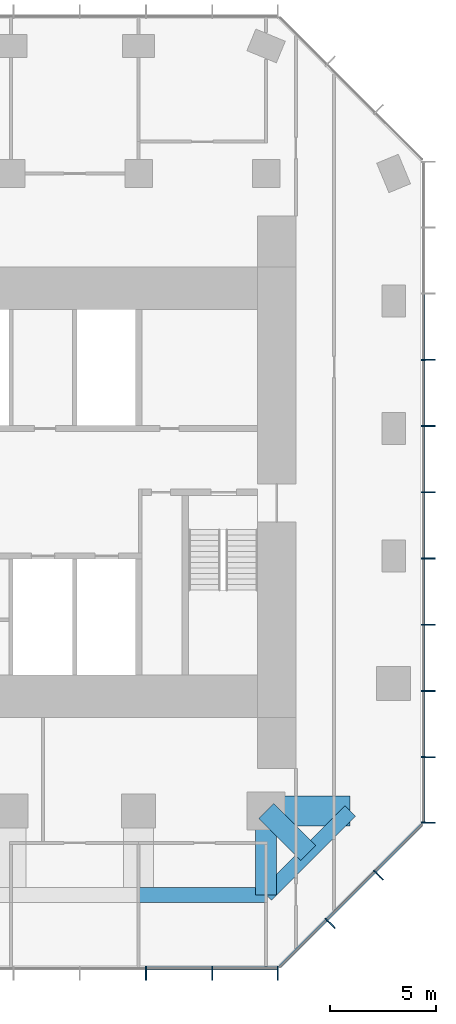
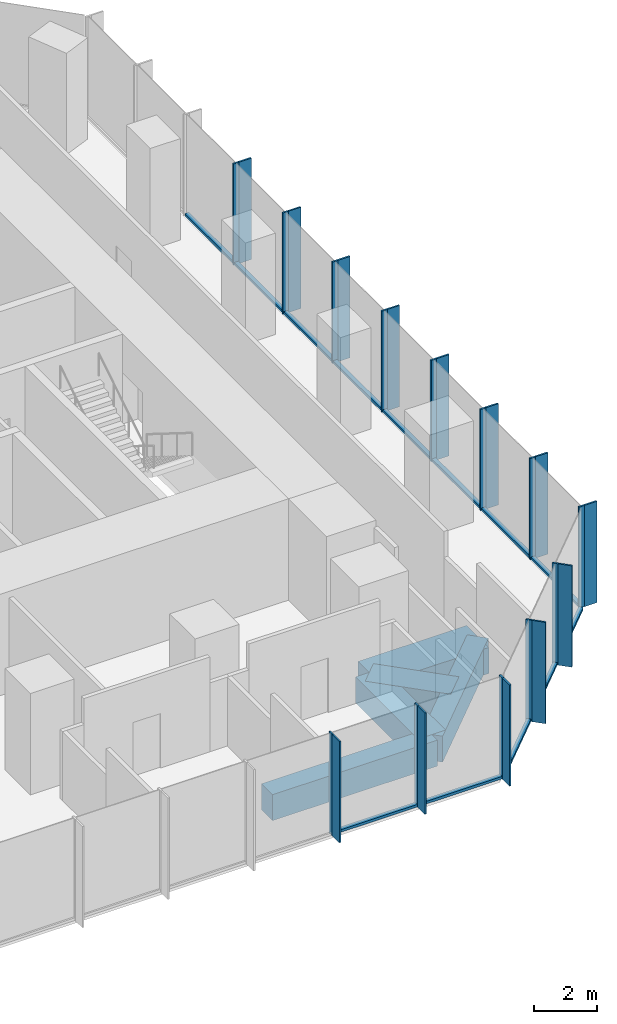
# One storey, part 4 of 11: 39 members, 5 beams, 3 elements without a shape of their own.
"""IFC4 building model written with IfcOpenShell, lengths in metres."""

from ifc_helpers import new_model, si_unit, direction, frame, origin, origin_2d, place, context, subcontext, project, spatial, rectangle, extrude, material, layer, layer_set, material_profile, profile_set, type_object, element, aggregate, save


model = new_model("IFC4")

# Units and contexts
model_context = context("Model", 3, precision=1e-05, world=origin(), true_north=direction((0.0, 1.0)))
body_context = subcontext(model_context, "Body", "Model", "MODEL_VIEW")
ifc_project = project(units=[si_unit("LENGTHUNIT", "METRE"), si_unit("AREAUNIT", "SQUARE_METRE"), si_unit("VOLUMEUNIT", "CUBIC_METRE"), si_unit("PLANEANGLEUNIT", "RADIAN"), si_unit("MASSUNIT", "GRAM", prefix="KILO")], contexts=[model_context])

# Site, building, storey
site_placement = place(None, origin())
site = spatial("IfcSite", under=ifc_project, at=site_placement, CompositionType="ELEMENT")
building_placement = place(site_placement, origin())
building = spatial("IfcBuilding", under=site, at=building_placement, Name="Highveld Stack Headquarters", CompositionType="ELEMENT")
storey_placement = place(building_placement, frame((0.0, 0.0, 220.10009765625)))
storey = spatial("IfcBuildingStorey", under=building, at=storey_placement, Name="L54", CompositionType="ELEMENT", Elevation=220.10009765625)

# Beams
ifc_material_1 = material(Name="Concrete C60/75", Category="concrete")
ifc_material_profile_1 = material_profile(ifc_material_1, rectangle(XDim=1.0, YDim=1.0, at=origin_2d()), Name="RC 1000x1000")
ifc_profile_set_1 = profile_set([ifc_material_profile_1], Name="Concrete C60/75")
beam_type_1 = type_object("IfcBeamType", Name="CANTILEVER RIB RC 1000x1000", PredefinedType="USERDEFINED", material=ifc_profile_set_1)
beam_1_placement = place(storey_placement, frame((18.0, -12.0, -0.75), z_axis=(0.0, -1.0, 0.0), x_axis=(1.0, 0.0, 0.0)))
element("IfcBeam", 1, at=beam_1_placement, inside=storey, type_object=beam_type_1, Name="Cantilever rib 9/C L54", ObjectType="CANTILEVER RIB", PredefinedType="USERDEFINED", context=body_context, shape_type="SweptSolid", body=[
    extrude(rectangle(XDim=1.0, YDim=1.0, at=origin_2d()), origin(), (0.0, 0.0, 1.0), 3.949951171875),
])
beam_2_placement = place(storey_placement, frame((18.0, -12.0, -0.75), z_axis=(0.707106781187, -0.707106781187, 0.0), x_axis=(0.707106781187, 0.707106781187, 0.0)))
element("IfcBeam", 2, at=beam_2_placement, inside=storey, type_object=beam_type_1, Name="Cantilever rib 9/C L54", ObjectType="CANTILEVER RIB", PredefinedType="USERDEFINED", context=body_context, shape_type="SweptSolid", body=[
    extrude(rectangle(XDim=1.0, YDim=1.0, at=origin_2d()), origin(), (0.0, 0.0, 1.0), 2.793212890625),
])
ifc_material_2 = material(Name="Concrete C60/75", Category="concrete")
ifc_material_profile_2 = material_profile(ifc_material_2, rectangle(XDim=1.39990234375, YDim=1.0, at=origin_2d()), Name="RC 1400x1000")
ifc_profile_set_2 = profile_set([ifc_material_profile_2], Name="Concrete C60/75")
beam_type_2 = type_object("IfcBeamType", Name="CANTILEVER RIB RC 1400x1000", PredefinedType="USERDEFINED", material=ifc_profile_set_2)
beam_3_placement = place(storey_placement, frame((18.0, -12.0, -0.75), z_axis=(1.0, 0.0, 0.0), x_axis=(0.0, 1.0, 0.0)))
element("IfcBeam", 3, at=beam_3_placement, inside=storey, type_object=beam_type_2, Name="Cantilever rib 9/C L54", ObjectType="CANTILEVER RIB", PredefinedType="USERDEFINED", context=body_context, shape_type="SweptSolid", body=[
    extrude(rectangle(XDim=1.39990234375, YDim=1.0, at=origin_2d()), origin(), (0.0, 0.0, 1.0), 3.949951171875),
])

# Curtain wall, members
ifc_material_3 = material(Name="Aluminium bronze anodised", Category="aluminium")
ifc_layer_1 = layer(ifc_material_3, 0.199951171875)
ifc_layer_set_1 = layer_set([ifc_layer_1], Name="Aluminium bronze anodised")
curtain_wall_type_1 = type_object("IfcCurtainWallType", Name="CW1 TOWER UNITISED CURTAIN WALL", PredefinedType="NOTDEFINED", material=ifc_layer_set_1)
curtain_wall_1_placement = place(storey_placement, origin())
curtain_wall_1 = element("IfcCurtainWall", 4, at=curtain_wall_1_placement, inside=storey, type_object=curtain_wall_type_1, Name="Curtain wall CW1 L54 S", PredefinedType="NOTDEFINED")
ifc_material_4 = material(Name="Aluminium bronze anodised", Category="aluminium")
ifc_material_profile_3 = material_profile(ifc_material_4, rectangle(XDim=0.449951171875, YDim=0.06005859375, at=origin_2d()), Name="FIN 450x60")
ifc_profile_set_3 = profile_set([ifc_material_profile_3], Name="Aluminium bronze anodised")
member_type_1 = type_object("IfcMemberType", Name="CW1 BRONZE FIN 450x60", PredefinedType="USERDEFINED", material=ifc_profile_set_3)
member_1_placement = place(storey_placement, frame((12.347900390625, -19.72509765625, 0.0), z_axis=(0.0, 0.0, 1.0), x_axis=(0.0, 1.0, 0.0)))
member_1 = element("IfcMember", 5, at=member_1_placement, type_object=member_type_1, Name="CW1 fin L54 9", ObjectType="FIN", PredefinedType="USERDEFINED", context=body_context, shape_type="SweptSolid", body=[
    extrude(rectangle(XDim=0.449951171875, YDim=0.06005859375, at=origin_2d()), origin(), (0.0, 0.0, 1.0), 3.89990234375),
])
member_2_placement = place(storey_placement, frame((15.4638671875, -19.72509765625, 0.0), z_axis=(0.0, 0.0, 1.0), x_axis=(0.0, 1.0, 0.0)))
member_2 = element("IfcMember", 6, at=member_2_placement, type_object=member_type_1, Name="CW1 fin L54 10", ObjectType="FIN", PredefinedType="USERDEFINED", context=body_context, shape_type="SweptSolid", body=[
    extrude(rectangle(XDim=0.449951171875, YDim=0.06005859375, at=origin_2d()), origin(), (0.0, 0.0, 1.0), 3.89990234375),
])
member_3_placement = place(storey_placement, frame((18.54736328125, -19.72509765625, 0.0), z_axis=(0.0, 0.0, 1.0), x_axis=(0.0, 1.0, 0.0)))
member_3 = element("IfcMember", 7, at=member_3_placement, type_object=member_type_1, Name="CW1 fin L54 11", ObjectType="FIN", PredefinedType="USERDEFINED", context=body_context, shape_type="SweptSolid", body=[
    extrude(rectangle(XDim=0.449951171875, YDim=0.06005859375, at=origin_2d()), origin(), (0.0, 0.0, 1.0), 3.89990234375),
])

curtain_wall_2_placement = place(storey_placement, origin())
curtain_wall_2 = element("IfcCurtainWall", 8, at=curtain_wall_2_placement, inside=storey, type_object=curtain_wall_type_1, Name="Curtain wall CW1 L54 E", PredefinedType="NOTDEFINED")
member_4_placement = place(storey_placement, frame((25.72509765625, -12.54736328125, 0.0), z_axis=(0.0, 0.0, 1.0), x_axis=(-1.0, 0.0, 0.0)))
member_4 = element("IfcMember", 9, at=member_4_placement, type_object=member_type_1, Name="CW1 fin L54 1", ObjectType="FIN", PredefinedType="USERDEFINED", context=body_context, shape_type="SweptSolid", body=[
    extrude(rectangle(XDim=0.449951171875, YDim=0.06005859375, at=origin_2d()), origin(), (0.0, 0.0, 1.0), 3.89990234375),
])
member_5_placement = place(storey_placement, frame((25.72509765625, -9.4638671875, 0.0), z_axis=(0.0, 0.0, 1.0), x_axis=(-1.0, 0.0, 0.0)))
member_5 = element("IfcMember", 10, at=member_5_placement, type_object=member_type_1, Name="CW1 fin L54 2", ObjectType="FIN", PredefinedType="USERDEFINED", context=body_context, shape_type="SweptSolid", body=[
    extrude(rectangle(XDim=0.449951171875, YDim=0.06005859375, at=origin_2d()), origin(), (0.0, 0.0, 1.0), 3.89990234375),
])
member_6_placement = place(storey_placement, frame((25.72509765625, -6.347900390625, 0.0), z_axis=(0.0, 0.0, 1.0), x_axis=(-1.0, 0.0, 0.0)))
member_6 = element("IfcMember", 11, at=member_6_placement, type_object=member_type_1, Name="CW1 fin L54 3", ObjectType="FIN", PredefinedType="USERDEFINED", context=body_context, shape_type="SweptSolid", body=[
    extrude(rectangle(XDim=0.449951171875, YDim=0.06005859375, at=origin_2d()), origin(), (0.0, 0.0, 1.0), 3.89990234375),
])
member_7_placement = place(storey_placement, frame((25.72509765625, -3.23193359375, 0.0), z_axis=(0.0, 0.0, 1.0), x_axis=(-1.0, 0.0, 0.0)))
member_7 = element("IfcMember", 12, at=member_7_placement, type_object=member_type_1, Name="CW1 fin L54 4", ObjectType="FIN", PredefinedType="USERDEFINED", context=body_context, shape_type="SweptSolid", body=[
    extrude(rectangle(XDim=0.449951171875, YDim=0.06005859375, at=origin_2d()), origin(), (0.0, 0.0, 1.0), 3.89990234375),
])
member_8_placement = place(storey_placement, frame((25.72509765625, -0.115966796875, 0.0), z_axis=(0.0, 0.0, 1.0), x_axis=(-1.0, 0.0, 0.0)))
member_8 = element("IfcMember", 13, at=member_8_placement, type_object=member_type_1, Name="CW1 fin L54 5", ObjectType="FIN", PredefinedType="USERDEFINED", context=body_context, shape_type="SweptSolid", body=[
    extrude(rectangle(XDim=0.449951171875, YDim=0.06005859375, at=origin_2d()), origin(), (0.0, 0.0, 1.0), 3.89990234375),
])
member_9_placement = place(storey_placement, frame((25.72509765625, 3.0, 0.0), z_axis=(0.0, 0.0, 1.0), x_axis=(-1.0, 0.0, 0.0)))
member_9 = element("IfcMember", 14, at=member_9_placement, type_object=member_type_1, Name="CW1 fin L54 6", ObjectType="FIN", PredefinedType="USERDEFINED", context=body_context, shape_type="SweptSolid", body=[
    extrude(rectangle(XDim=0.449951171875, YDim=0.06005859375, at=origin_2d()), origin(), (0.0, 0.0, 1.0), 3.89990234375),
])
member_10_placement = place(storey_placement, frame((25.72509765625, 6.115966796875, 0.0), z_axis=(0.0, 0.0, 1.0), x_axis=(-1.0, 0.0, 0.0)))
member_10 = element("IfcMember", 15, at=member_10_placement, type_object=member_type_1, Name="CW1 fin L54 7", ObjectType="FIN", PredefinedType="USERDEFINED", context=body_context, shape_type="SweptSolid", body=[
    extrude(rectangle(XDim=0.449951171875, YDim=0.06005859375, at=origin_2d()), origin(), (0.0, 0.0, 1.0), 3.89990234375),
])
member_11_placement = place(storey_placement, frame((25.72509765625, 9.23193359375, 0.0), z_axis=(0.0, 0.0, 1.0), x_axis=(-1.0, 0.0, 0.0)))
member_11 = element("IfcMember", 16, at=member_11_placement, type_object=member_type_1, Name="CW1 fin L54 8", ObjectType="FIN", PredefinedType="USERDEFINED", context=body_context, shape_type="SweptSolid", body=[
    extrude(rectangle(XDim=0.449951171875, YDim=0.06005859375, at=origin_2d()), origin(), (0.0, 0.0, 1.0), 3.89990234375),
])

# Member
ifc_material_5 = material(Name="Aluminium bronze anodised", Category="aluminium")
ifc_material_profile_4 = material_profile(ifc_material_5, rectangle(XDim=0.199951171875, YDim=0.06494140625, at=origin_2d()), Name="CW1 MULLION 65x200")
ifc_profile_set_4 = profile_set([ifc_material_profile_4], Name="Aluminium bronze anodised")
member_type_2 = type_object("IfcMemberType", Name="CW1 MULLION 65x200", PredefinedType="MULLION", material=ifc_profile_set_4)
member_12_placement = place(storey_placement, frame((12.347900390625, -19.39990234375, 0.0), z_axis=(0.0, 0.0, 1.0), x_axis=(0.0, 1.0, 0.0)))
member_12 = element("IfcMember", 17, at=member_12_placement, type_object=member_type_2, Name="CW1 mullion L54 9", PredefinedType="MULLION", context=body_context, shape_type="SweptSolid", body=[
    extrude(rectangle(XDim=0.199951171875, YDim=0.06494140625, at=origin_2d()), origin(), (0.0, 0.0, 1.0), 3.89990234375),
])

member_13_placement = place(storey_placement, frame((15.4638671875, -19.39990234375, 0.0), z_axis=(0.0, 0.0, 1.0), x_axis=(0.0, 1.0, 0.0)))
member_13 = element("IfcMember", 18, at=member_13_placement, type_object=member_type_2, Name="CW1 mullion L54 10", PredefinedType="MULLION", context=body_context, shape_type="SweptSolid", body=[
    extrude(rectangle(XDim=0.199951171875, YDim=0.06494140625, at=origin_2d()), origin(), (0.0, 0.0, 1.0), 3.89990234375),
])

member_14_placement = place(storey_placement, frame((18.54736328125, -19.39990234375, 0.0), z_axis=(0.0, 0.0, 1.0), x_axis=(0.0, 1.0, 0.0)))
member_14 = element("IfcMember", 19, at=member_14_placement, type_object=member_type_2, Name="CW1 mullion L54 11", PredefinedType="MULLION", context=body_context, shape_type="SweptSolid", body=[
    extrude(rectangle(XDim=0.199951171875, YDim=0.06494140625, at=origin_2d()), origin(), (0.0, 0.0, 1.0), 3.89990234375),
])

member_15_placement = place(storey_placement, frame((25.39990234375, -12.54736328125, 0.0), z_axis=(0.0, 0.0, 1.0), x_axis=(-1.0, 0.0, 0.0)))
member_15 = element("IfcMember", 20, at=member_15_placement, type_object=member_type_2, Name="CW1 mullion L54 1", PredefinedType="MULLION", context=body_context, shape_type="SweptSolid", body=[
    extrude(rectangle(XDim=0.199951171875, YDim=0.06494140625, at=origin_2d()), origin(), (0.0, 0.0, 1.0), 3.89990234375),
])

member_16_placement = place(storey_placement, frame((25.39990234375, -9.4638671875, 0.0), z_axis=(0.0, 0.0, 1.0), x_axis=(-1.0, 0.0, 0.0)))
member_16 = element("IfcMember", 21, at=member_16_placement, type_object=member_type_2, Name="CW1 mullion L54 2", PredefinedType="MULLION", context=body_context, shape_type="SweptSolid", body=[
    extrude(rectangle(XDim=0.199951171875, YDim=0.06494140625, at=origin_2d()), origin(), (0.0, 0.0, 1.0), 3.89990234375),
])

member_17_placement = place(storey_placement, frame((25.39990234375, -6.347900390625, 0.0), z_axis=(0.0, 0.0, 1.0), x_axis=(-1.0, 0.0, 0.0)))
member_17 = element("IfcMember", 22, at=member_17_placement, type_object=member_type_2, Name="CW1 mullion L54 3", PredefinedType="MULLION", context=body_context, shape_type="SweptSolid", body=[
    extrude(rectangle(XDim=0.199951171875, YDim=0.06494140625, at=origin_2d()), origin(), (0.0, 0.0, 1.0), 3.89990234375),
])

member_18_placement = place(storey_placement, frame((25.39990234375, -3.23193359375, 0.0), z_axis=(0.0, 0.0, 1.0), x_axis=(-1.0, 0.0, 0.0)))
member_18 = element("IfcMember", 23, at=member_18_placement, type_object=member_type_2, Name="CW1 mullion L54 4", PredefinedType="MULLION", context=body_context, shape_type="SweptSolid", body=[
    extrude(rectangle(XDim=0.199951171875, YDim=0.06494140625, at=origin_2d()), origin(), (0.0, 0.0, 1.0), 3.89990234375),
])

member_19_placement = place(storey_placement, frame((25.39990234375, -0.115966796875, 0.0), z_axis=(0.0, 0.0, 1.0), x_axis=(-1.0, 0.0, 0.0)))
member_19 = element("IfcMember", 24, at=member_19_placement, type_object=member_type_2, Name="CW1 mullion L54 5", PredefinedType="MULLION", context=body_context, shape_type="SweptSolid", body=[
    extrude(rectangle(XDim=0.199951171875, YDim=0.06494140625, at=origin_2d()), origin(), (0.0, 0.0, 1.0), 3.89990234375),
])

member_20_placement = place(storey_placement, frame((25.39990234375, 3.0, 0.0), z_axis=(0.0, 0.0, 1.0), x_axis=(-1.0, 0.0, 0.0)))
member_20 = element("IfcMember", 25, at=member_20_placement, type_object=member_type_2, Name="CW1 mullion L54 6", PredefinedType="MULLION", context=body_context, shape_type="SweptSolid", body=[
    extrude(rectangle(XDim=0.199951171875, YDim=0.06494140625, at=origin_2d()), origin(), (0.0, 0.0, 1.0), 3.89990234375),
])

member_21_placement = place(storey_placement, frame((25.39990234375, 6.115966796875, 0.0), z_axis=(0.0, 0.0, 1.0), x_axis=(-1.0, 0.0, 0.0)))
member_21 = element("IfcMember", 26, at=member_21_placement, type_object=member_type_2, Name="CW1 mullion L54 7", PredefinedType="MULLION", context=body_context, shape_type="SweptSolid", body=[
    extrude(rectangle(XDim=0.199951171875, YDim=0.06494140625, at=origin_2d()), origin(), (0.0, 0.0, 1.0), 3.89990234375),
])

member_22_placement = place(storey_placement, frame((25.39990234375, 9.23193359375, 0.0), z_axis=(0.0, 0.0, 1.0), x_axis=(-1.0, 0.0, 0.0)))
member_22 = element("IfcMember", 27, at=member_22_placement, type_object=member_type_2, Name="CW1 mullion L54 8", PredefinedType="MULLION", context=body_context, shape_type="SweptSolid", body=[
    extrude(rectangle(XDim=0.199951171875, YDim=0.06494140625, at=origin_2d()), origin(), (0.0, 0.0, 1.0), 3.89990234375),
])

ifc_material_6 = material(Name="Aluminium bronze anodised", Category="aluminium")
ifc_material_profile_5 = material_profile(ifc_material_6, rectangle(XDim=0.14990234375, YDim=0.10009765625, at=origin_2d()), Name="CW1 TRANSOM 150x100")
ifc_profile_set_5 = profile_set([ifc_material_profile_5], Name="Aluminium bronze anodised")
member_type_3 = type_object("IfcMemberType", Name="CW1 STACK TRANSOM 150x100", PredefinedType="USERDEFINED", material=ifc_profile_set_5)
member_23_placement = place(storey_placement, frame((12.38037109375, -19.39990234375, 0.0498046875), z_axis=(1.0, 0.0, 0.0), x_axis=(0.0, 1.0, 0.0)))
member_23 = element("IfcMember", 28, at=member_23_placement, type_object=member_type_3, Name="CW1 transom L54 9.1", ObjectType="TRANSOM", PredefinedType="USERDEFINED", context=body_context, shape_type="SweptSolid", body=[
    extrude(rectangle(XDim=0.14990234375, YDim=0.10009765625, at=origin_2d()), origin(), (0.0, 0.0, 1.0), 3.051025390625),
])

member_24_placement = place(storey_placement, frame((15.496337890625, -19.39990234375, 0.0498046875), z_axis=(1.0, 0.0, 0.0), x_axis=(0.0, 1.0, 0.0)))
member_24 = element("IfcMember", 29, at=member_24_placement, type_object=member_type_3, Name="CW1 transom L54 10.1", ObjectType="TRANSOM", PredefinedType="USERDEFINED", context=body_context, shape_type="SweptSolid", body=[
    extrude(rectangle(XDim=0.14990234375, YDim=0.10009765625, at=origin_2d()), origin(), (0.0, 0.0, 1.0), 3.0185546875),
])

aggregate(curtain_wall_1, [member_12, member_1, member_13, member_2, member_14, member_3, member_23, member_24])

member_25_placement = place(storey_placement, frame((25.39990234375, -12.514892578125, 0.0498046875), z_axis=(0.0, 1.0, 0.0), x_axis=(-1.0, 0.0, 0.0)))
member_25 = element("IfcMember", 30, at=member_25_placement, type_object=member_type_3, Name="CW1 transom L54 1.1", ObjectType="TRANSOM", PredefinedType="USERDEFINED", context=body_context, shape_type="SweptSolid", body=[
    extrude(rectangle(XDim=0.14990234375, YDim=0.10009765625, at=origin_2d()), origin(), (0.0, 0.0, 1.0), 3.0185546875),
])

member_26_placement = place(storey_placement, frame((25.39990234375, -9.431396484375, 0.0498046875), z_axis=(0.0, 1.0, 0.0), x_axis=(-1.0, 0.0, 0.0)))
member_26 = element("IfcMember", 31, at=member_26_placement, type_object=member_type_3, Name="CW1 transom L54 2.1", ObjectType="TRANSOM", PredefinedType="USERDEFINED", context=body_context, shape_type="SweptSolid", body=[
    extrude(rectangle(XDim=0.14990234375, YDim=0.10009765625, at=origin_2d()), origin(), (0.0, 0.0, 1.0), 3.051025390625),
])

member_27_placement = place(storey_placement, frame((25.39990234375, -6.3154296875, 0.0498046875), z_axis=(0.0, 1.0, 0.0), x_axis=(-1.0, 0.0, 0.0)))
member_27 = element("IfcMember", 32, at=member_27_placement, type_object=member_type_3, Name="CW1 transom L54 3.1", ObjectType="TRANSOM", PredefinedType="USERDEFINED", context=body_context, shape_type="SweptSolid", body=[
    extrude(rectangle(XDim=0.14990234375, YDim=0.10009765625, at=origin_2d()), origin(), (0.0, 0.0, 1.0), 3.051025390625),
])

member_28_placement = place(storey_placement, frame((25.39990234375, -3.199462890625, 0.0498046875), z_axis=(0.0, 1.0, 0.0), x_axis=(-1.0, 0.0, 0.0)))
member_28 = element("IfcMember", 33, at=member_28_placement, type_object=member_type_3, Name="CW1 transom L54 4.1", ObjectType="TRANSOM", PredefinedType="USERDEFINED", context=body_context, shape_type="SweptSolid", body=[
    extrude(rectangle(XDim=0.14990234375, YDim=0.10009765625, at=origin_2d()), origin(), (0.0, 0.0, 1.0), 3.051025390625),
])

member_29_placement = place(storey_placement, frame((25.39990234375, -0.08349609375, 0.0498046875), z_axis=(0.0, 1.0, 0.0), x_axis=(-1.0, 0.0, 0.0)))
member_29 = element("IfcMember", 34, at=member_29_placement, type_object=member_type_3, Name="CW1 transom L54 5.1", ObjectType="TRANSOM", PredefinedType="USERDEFINED", context=body_context, shape_type="SweptSolid", body=[
    extrude(rectangle(XDim=0.14990234375, YDim=0.10009765625, at=origin_2d()), origin(), (0.0, 0.0, 1.0), 3.051025390625),
])

member_30_placement = place(storey_placement, frame((25.39990234375, 3.032470703125, 0.0498046875), z_axis=(0.0, 1.0, 0.0), x_axis=(-1.0, 0.0, 0.0)))
member_30 = element("IfcMember", 35, at=member_30_placement, type_object=member_type_3, Name="CW1 transom L54 6.1", ObjectType="TRANSOM", PredefinedType="USERDEFINED", context=body_context, shape_type="SweptSolid", body=[
    extrude(rectangle(XDim=0.14990234375, YDim=0.10009765625, at=origin_2d()), origin(), (0.0, 0.0, 1.0), 3.051025390625),
])

member_31_placement = place(storey_placement, frame((25.39990234375, 6.1484375, 0.0498046875), z_axis=(0.0, 1.0, 0.0), x_axis=(-1.0, 0.0, 0.0)))
member_31 = element("IfcMember", 36, at=member_31_placement, type_object=member_type_3, Name="CW1 transom L54 7.1", ObjectType="TRANSOM", PredefinedType="USERDEFINED", context=body_context, shape_type="SweptSolid", body=[
    extrude(rectangle(XDim=0.14990234375, YDim=0.10009765625, at=origin_2d()), origin(), (0.0, 0.0, 1.0), 3.051025390625),
])

member_32_placement = place(storey_placement, frame((25.39990234375, 9.264404296875, 0.0498046875), z_axis=(0.0, 1.0, 0.0), x_axis=(-1.0, 0.0, 0.0)))
member_32 = element("IfcMember", 37, at=member_32_placement, type_object=member_type_3, Name="CW1 transom L54 8.1", ObjectType="TRANSOM", PredefinedType="USERDEFINED", context=body_context, shape_type="SweptSolid", body=[
    extrude(rectangle(XDim=0.14990234375, YDim=0.10009765625, at=origin_2d()), origin(), (0.0, 0.0, 1.0), 3.051025390625),
])

aggregate(curtain_wall_2, [member_15, member_4, member_16, member_5, member_17, member_6, member_18, member_7, member_19, member_8, member_20, member_9, member_21, member_10, member_22, member_11, member_25, member_26, member_27, member_28, member_29, member_30, member_31, member_32])

# Curtain wall, members
ifc_material_7 = material(Name="Aluminium bronze anodised", Category="aluminium")
ifc_layer_2 = layer(ifc_material_7, 0.199951171875)
ifc_layer_set_2 = layer_set([ifc_layer_2], Name="Aluminium bronze anodised")
curtain_wall_type_2 = type_object("IfcCurtainWallType", Name="CW2 TOWER CHAMFER UNITISED CURTAIN WALL", PredefinedType="NOTDEFINED", material=ifc_layer_set_2)
curtain_wall_3_placement = place(storey_placement, origin())
curtain_wall_3 = element("IfcCurtainWall", 38, at=curtain_wall_3_placement, inside=storey, type_object=curtain_wall_type_2, Name="Curtain wall CW2 L54 SE", PredefinedType="NOTDEFINED")
ifc_material_8 = material(Name="Aluminium bronze anodised", Category="aluminium")
ifc_material_profile_6 = material_profile(ifc_material_8, rectangle(XDim=0.449951171875, YDim=0.06005859375, at=origin_2d()), Name="FIN 450x60")
ifc_profile_set_6 = profile_set([ifc_material_profile_6], Name="Aluminium bronze anodised")
member_type_4 = type_object("IfcMemberType", Name="CW2 BRONZE FIN 450x60", PredefinedType="USERDEFINED", material=ifc_profile_set_6)
member_33_placement = place(storey_placement, frame((21.0830078125, -17.3564453125, 0.0), z_axis=(0.0, 0.0, 1.0), x_axis=(-0.707106781187, 0.707106781187, 0.0)))
member_33 = element("IfcMember", 39, at=member_33_placement, type_object=member_type_4, Name="CW2 fin L54 1", ObjectType="FIN", PredefinedType="USERDEFINED", context=body_context, shape_type="SweptSolid", body=[
    extrude(rectangle(XDim=0.449951171875, YDim=0.06005859375, at=origin_2d()), origin(), (0.0, 0.0, 1.0), 3.89990234375),
])
member_34_placement = place(storey_placement, frame((23.3564453125, -15.0830078125, 0.0), z_axis=(0.0, 0.0, 1.0), x_axis=(-0.707106781187, 0.707106781187, 0.0)))
member_34 = element("IfcMember", 40, at=member_34_placement, type_object=member_type_4, Name="CW2 fin L54 2", ObjectType="FIN", PredefinedType="USERDEFINED", context=body_context, shape_type="SweptSolid", body=[
    extrude(rectangle(XDim=0.449951171875, YDim=0.06005859375, at=origin_2d()), origin(), (0.0, 0.0, 1.0), 3.89990234375),
])
ifc_material_9 = material(Name="Aluminium bronze anodised", Category="aluminium")
ifc_material_profile_7 = material_profile(ifc_material_9, rectangle(XDim=0.199951171875, YDim=0.06494140625, at=origin_2d()), Name="CW2 MULLION 65x200")
ifc_profile_set_7 = profile_set([ifc_material_profile_7], Name="Aluminium bronze anodised")
member_type_5 = type_object("IfcMemberType", Name="CW2 MULLION 65x200", PredefinedType="MULLION", material=ifc_profile_set_7)
member_35_placement = place(storey_placement, frame((20.853271484375, -17.126708984375, 0.0), z_axis=(0.0, 0.0, 1.0), x_axis=(-0.707106781187, 0.707106781187, 0.0)))
member_35 = element("IfcMember", 41, at=member_35_placement, type_object=member_type_5, Name="CW2 mullion L54 1", PredefinedType="MULLION", context=body_context, shape_type="SweptSolid", body=[
    extrude(rectangle(XDim=0.199951171875, YDim=0.06494140625, at=origin_2d()), origin(), (0.0, 0.0, 1.0), 3.89990234375),
])
member_36_placement = place(storey_placement, frame((23.126708984375, -14.853271484375, 0.0), z_axis=(0.0, 0.0, 1.0), x_axis=(-0.707106781187, 0.707106781187, 0.0)))
member_36 = element("IfcMember", 42, at=member_36_placement, type_object=member_type_5, Name="CW2 mullion L54 2", PredefinedType="MULLION", context=body_context, shape_type="SweptSolid", body=[
    extrude(rectangle(XDim=0.199951171875, YDim=0.06494140625, at=origin_2d()), origin(), (0.0, 0.0, 1.0), 3.89990234375),
])
ifc_material_10 = material(Name="Aluminium bronze anodised", Category="aluminium")
ifc_material_profile_8 = material_profile(ifc_material_10, rectangle(XDim=0.14990234375, YDim=0.10009765625, at=origin_2d()), Name="CW2 TRANSOM 150x100")
ifc_profile_set_8 = profile_set([ifc_material_profile_8], Name="Aluminium bronze anodised")
member_type_6 = type_object("IfcMemberType", Name="CW2 STACK TRANSOM 150x100", PredefinedType="USERDEFINED", material=ifc_profile_set_8)
member_37_placement = place(storey_placement, frame((18.650634765625, -19.329345703125, 0.0498046875), z_axis=(0.707106781187, 0.707106781187, 0.0), x_axis=(-0.707106781187, 0.707106781187, 0.0)))
member_37 = element("IfcMember", 43, at=member_37_placement, type_object=member_type_6, Name="CW2 transom L54 1.1", ObjectType="TRANSOM", PredefinedType="USERDEFINED", context=body_context, shape_type="SweptSolid", body=[
    extrude(rectangle(XDim=0.14990234375, YDim=0.10009765625, at=origin_2d()), origin(), (0.0, 0.0, 1.0), 3.08251953125),
])
member_38_placement = place(storey_placement, frame((20.876220703125, -17.103759765625, 0.0498046875), z_axis=(0.707106781187, 0.707106781187, 0.0), x_axis=(-0.707106781187, 0.707106781187, 0.0)))
member_38 = element("IfcMember", 44, at=member_38_placement, type_object=member_type_6, Name="CW2 transom L54 2.1", ObjectType="TRANSOM", PredefinedType="USERDEFINED", context=body_context, shape_type="SweptSolid", body=[
    extrude(rectangle(XDim=0.14990234375, YDim=0.10009765625, at=origin_2d()), origin(), (0.0, 0.0, 1.0), 3.150146484375),
])
member_39_placement = place(storey_placement, frame((23.149658203125, -14.830322265625, 0.0498046875), z_axis=(0.707106781187, 0.707106781187, 0.0), x_axis=(-0.707106781187, 0.707106781187, 0.0)))
member_39 = element("IfcMember", 45, at=member_39_placement, type_object=member_type_6, Name="CW2 transom L54 3.1", ObjectType="TRANSOM", PredefinedType="USERDEFINED", context=body_context, shape_type="SweptSolid", body=[
    extrude(rectangle(XDim=0.14990234375, YDim=0.10009765625, at=origin_2d()), origin(), (0.0, 0.0, 1.0), 3.08251953125),
])
aggregate(curtain_wall_3, [member_35, member_33, member_36, member_34, member_37, member_38, member_39])

# Beams
ifc_material_11 = material(Name="Concrete C60/75", Category="concrete")
ifc_material_profile_9 = material_profile(ifc_material_11, rectangle(XDim=0.699951171875, YDim=1.0, at=origin_2d()), Name="RC 700x1000")
ifc_profile_set_9 = profile_set([ifc_material_profile_9], Name="Concrete C60/75")
beam_type_3 = type_object("IfcBeamType", Name="RIB TIP BEAM RC 700x1000", PredefinedType="SPANDREL", material=ifc_profile_set_9)
beam_4_placement = place(storey_placement, frame((12.0, -15.949951171875, -0.75), z_axis=(1.0, 0.0, 0.0), x_axis=(0.0, 1.0, 0.0)))
element("IfcBeam", 46, at=beam_4_placement, inside=storey, type_object=beam_type_3, Name="Rib tip beam 8/C to 9/C L54", PredefinedType="SPANDREL", context=body_context, shape_type="SweptSolid", body=[
    extrude(rectangle(XDim=0.699951171875, YDim=1.0, at=origin_2d()), origin(), (0.0, 0.0, 1.0), 6.0),
])
beam_5_placement = place(storey_placement, frame((21.949951171875, -12.0, -0.75), z_axis=(-0.707106781187, -0.707106781187, 0.0), x_axis=(0.707106781187, -0.707106781187, 0.0)))
element("IfcBeam", 47, at=beam_5_placement, inside=storey, type_object=beam_type_3, Name="Rib tip beam 9/C corner L54", PredefinedType="SPANDREL", context=body_context, shape_type="SweptSolid", body=[
    extrude(rectangle(XDim=0.699951171875, YDim=1.0, at=origin_2d()), origin(), (0.0, 0.0, 1.0), 5.586181640625),
])

save(model, "model.ifc")
